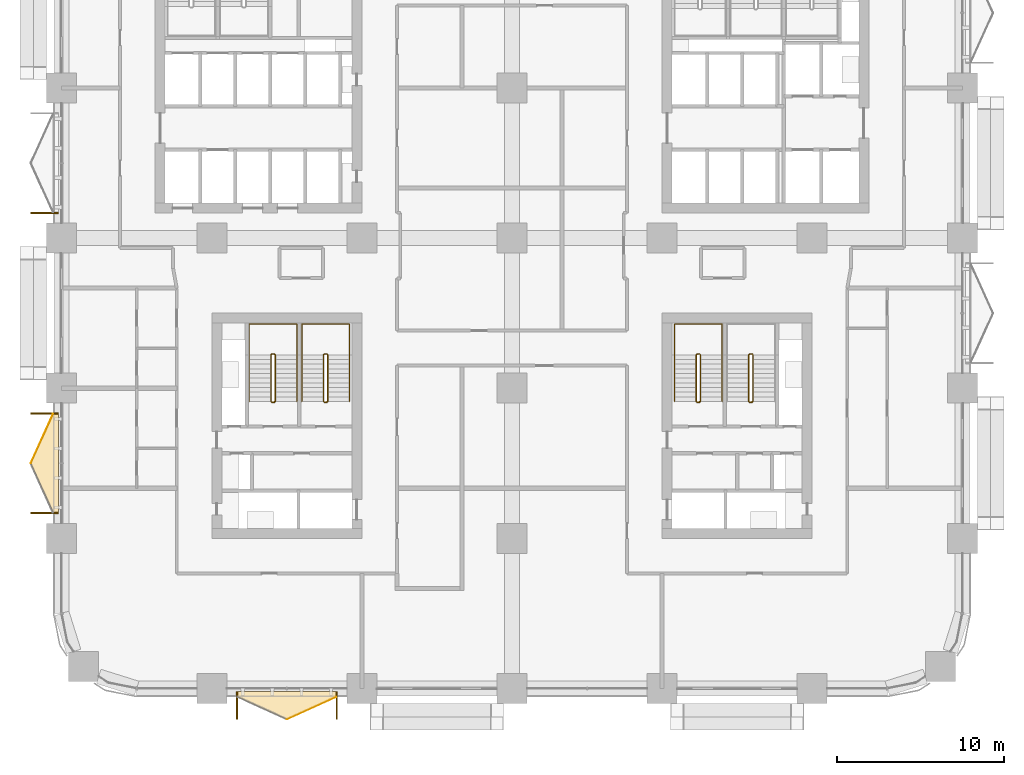
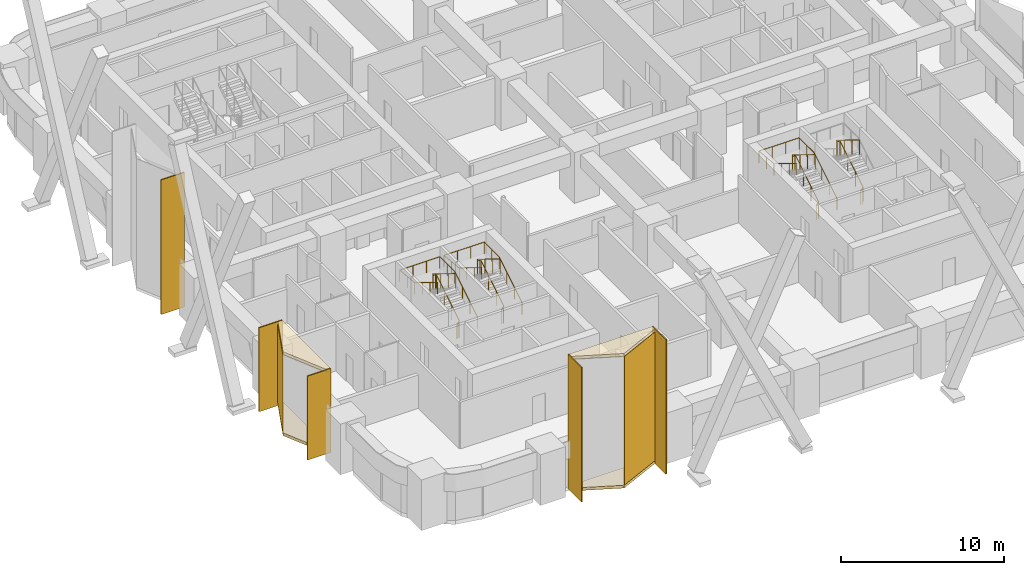
# One storey, part 21 of 23: 11 coverings, 7 railings.
"""IFC4 building model written with IfcOpenShell, lengths in metres."""

from ifc_helpers import new_model, si_unit, direction, frame, origin, origin_2d, place, context, subcontext, project, spatial, polyline, rectangle, circle, outline, extrude, material, layer, layer_set, type_object, element, save


model = new_model("IFC4")

# Units and contexts
model_context = context("Model", 3, precision=1e-05, world=origin(), true_north=direction((0.0, 1.0)))
body_context = subcontext(model_context, "Body", "Model", "MODEL_VIEW")
ifc_project = project(units=[si_unit("LENGTHUNIT", "METRE"), si_unit("AREAUNIT", "SQUARE_METRE"), si_unit("VOLUMEUNIT", "CUBIC_METRE"), si_unit("PLANEANGLEUNIT", "RADIAN"), si_unit("MASSUNIT", "GRAM", prefix="KILO")], contexts=[model_context])

# Site, building, storey
site_placement = place(None, origin())
site = spatial("IfcSite", under=ifc_project, at=site_placement, CompositionType="ELEMENT")
building_placement = place(site_placement, origin())
building = spatial("IfcBuilding", under=site, at=building_placement, Name="Tessera Arch", CompositionType="ELEMENT")
storey_placement = place(building_placement, frame((0.0, 0.0, 46.199951171875)))
storey = spatial("IfcBuildingStorey", under=building, at=storey_placement, Name="L09", CompositionType="ELEMENT", Elevation=46.199951171875)

# Railings
ifc_material_1 = material(Name="Painted steel balustrade", Category="steel")
railing_type_1 = type_object("IfcRailingType", Name="Stair guard 1100", PredefinedType="GUARDRAIL", material=ifc_material_1)
railing_1_placement = place(storey_placement, frame((38.25, 17.14990234375, 0.0)))
element("IfcRailing", 1, at=railing_1_placement, inside=storey, type_object=railing_type_1, Name="L09 S3a stair guard 1", PredefinedType="GUARDRAIL", context=body_context, shape_type="SweptSolid", body=[
    extrude(circle(Radius=0.02392578125, at=origin_2d()), frame((0.00390625, 0.0, 1.076171875), z_axis=(-1.0, 0.0, 0.0), x_axis=(0.0, -1.0, 0.0)), (0.0, 0.0, 1.0), 0.157958984375),
    extrude(circle(Radius=0.02392578125, at=origin_2d()), frame((-0.15283203125, -0.000732421875, 1.073486328125), z_axis=(0.743302536996, 0.186052527575, 0.642561900114), x_axis=(-0.242814311512, 0.970072785993, 0.0)), (0.0, 0.0, 1.0), 0.277099609375),
    extrude(circle(Radius=0.02392578125, at=origin_2d()), frame((0.050048828125, 0.046630859375, 1.246826171875), z_axis=(0.0, 0.851089632645, 0.525020415988), x_axis=(-1.0, 0.0, 0.0)), (0.0, 0.0, 1.0), 3.2978515625),
    extrude(circle(Radius=0.02392578125, at=origin_2d()), frame((0.052978515625, 2.84716796875, 2.97607421875), z_axis=(-0.707106781187, 0.707106781187, 0.0), x_axis=(-0.707106781187, -0.707106781187, 0.0)), (0.0, 0.0, 1.0), 0.078857421875),
    extrude(circle(Radius=0.02392578125, at=origin_2d()), frame((0.00390625, 2.900146484375, 2.97607421875), z_axis=(-1.0, 0.0, 0.0), x_axis=(0.0, -1.0, 0.0)), (0.0, 0.0, 1.0), 0.157958984375),
    extrude(circle(Radius=0.02392578125, at=origin_2d()), frame((-0.14892578125, 2.901123046875, 2.972412109375), z_axis=(-0.268277960024, -0.268277960024, 0.925231793839), x_axis=(0.707106781187, -0.707106781187, 0.0)), (0.0, 0.0, 1.0), 0.194580078125),
    extrude(circle(Radius=0.02392578125, at=origin_2d()), frame((-0.199951171875, 2.853515625, 3.146728515625), z_axis=(0.0, -0.851089632645, 0.525020415988), x_axis=(1.0, 0.0, 0.0)), (0.0, 0.0, 1.0), 3.2978515625),
    extrude(circle(Radius=0.02099609375, at=origin_2d()), origin(), (0.0, 0.0, 1.0), 1.06396484375),
    extrude(circle(Radius=0.02099609375, at=origin_2d()), frame((-0.14990234375, 0.0, 0.0)), (0.0, 0.0, 1.0), 1.06396484375),
    extrude(circle(Radius=0.02099609375, at=origin_2d()), frame((0.050048828125, 0.050048828125, 0.1728515625)), (0.0, 0.0, 1.0), 1.06396484375),
    extrude(circle(Radius=0.02099609375, at=origin_2d()), frame((0.050048828125, 0.9833984375, 0.74853515625)), (0.0, 0.0, 1.0), 1.06396484375),
    extrude(circle(Radius=0.02099609375, at=origin_2d()), frame((0.050048828125, 1.916748046875, 1.324462890625)), (0.0, 0.0, 1.0), 1.06396484375),
    extrude(circle(Radius=0.02099609375, at=origin_2d()), frame((0.050048828125, 2.85009765625, 1.900146484375)), (0.0, 0.0, 1.0), 1.06396484375),
    extrude(circle(Radius=0.02099609375, at=origin_2d()), frame((0.0, 2.900146484375, 1.900146484375)), (0.0, 0.0, 1.0), 1.06396484375),
    extrude(circle(Radius=0.02099609375, at=origin_2d()), frame((-0.14990234375, 2.900146484375, 1.900146484375)), (0.0, 0.0, 1.0), 1.06396484375),
    extrude(circle(Radius=0.02099609375, at=origin_2d()), frame((-0.199951171875, 2.85009765625, 2.07275390625)), (0.0, 0.0, 1.0), 1.06396484375),
    extrude(circle(Radius=0.02099609375, at=origin_2d()), frame((-0.199951171875, 1.916748046875, 2.6484375)), (0.0, 0.0, 1.0), 1.06396484375),
    extrude(circle(Radius=0.02099609375, at=origin_2d()), frame((-0.199951171875, 0.9833984375, 3.224365234375)), (0.0, 0.0, 1.0), 1.06396484375),
    extrude(circle(Radius=0.02099609375, at=origin_2d()), frame((-0.199951171875, 0.050048828125, 3.800048828125)), (0.0, 0.0, 1.0), 1.06396484375),
])
railing_2_placement = place(storey_placement, frame((41.39990234375, 17.14990234375, 0.0)))
element("IfcRailing", 2, at=railing_2_placement, inside=storey, type_object=railing_type_1, Name="L09 S3b stair guard 1", PredefinedType="GUARDRAIL", context=body_context, shape_type="SweptSolid", body=[
    extrude(circle(Radius=0.02392578125, at=origin_2d()), frame((0.00390625, 0.0, 1.076171875), z_axis=(-1.0, 0.0, 0.0), x_axis=(0.0, -1.0, 0.0)), (0.0, 0.0, 1.0), 0.157958984375),
    extrude(circle(Radius=0.02392578125, at=origin_2d()), frame((-0.15283203125, -0.000732421875, 1.073486328125), z_axis=(0.743302536996, 0.186052527575, 0.642561900114), x_axis=(-0.242814311512, 0.970072785993, 0.0)), (0.0, 0.0, 1.0), 0.277099609375),
    extrude(circle(Radius=0.02392578125, at=origin_2d()), frame((0.050048828125, 0.046630859375, 1.246826171875), z_axis=(0.0, 0.851089632645, 0.525020415988), x_axis=(-1.0, 0.0, 0.0)), (0.0, 0.0, 1.0), 3.2978515625),
    extrude(circle(Radius=0.02392578125, at=origin_2d()), frame((0.052978515625, 2.84716796875, 2.97607421875), z_axis=(-0.707106781187, 0.707106781187, 0.0), x_axis=(-0.707106781187, -0.707106781187, 0.0)), (0.0, 0.0, 1.0), 0.078857421875),
    extrude(circle(Radius=0.02392578125, at=origin_2d()), frame((0.00390625, 2.900146484375, 2.97607421875), z_axis=(-1.0, 0.0, 0.0), x_axis=(0.0, -1.0, 0.0)), (0.0, 0.0, 1.0), 0.157958984375),
    extrude(circle(Radius=0.02392578125, at=origin_2d()), frame((-0.14892578125, 2.901123046875, 2.972412109375), z_axis=(-0.268277960024, -0.268277960024, 0.925231793839), x_axis=(0.707106781187, -0.707106781187, 0.0)), (0.0, 0.0, 1.0), 0.194580078125),
    extrude(circle(Radius=0.02392578125, at=origin_2d()), frame((-0.199951171875, 2.853515625, 3.146728515625), z_axis=(0.0, -0.851089632645, 0.525020415988), x_axis=(1.0, 0.0, 0.0)), (0.0, 0.0, 1.0), 3.2978515625),
    extrude(circle(Radius=0.02099609375, at=origin_2d()), origin(), (0.0, 0.0, 1.0), 1.06396484375),
    extrude(circle(Radius=0.02099609375, at=origin_2d()), frame((-0.14990234375, 0.0, 0.0)), (0.0, 0.0, 1.0), 1.06396484375),
    extrude(circle(Radius=0.02099609375, at=origin_2d()), frame((0.050048828125, 0.050048828125, 0.1728515625)), (0.0, 0.0, 1.0), 1.06396484375),
    extrude(circle(Radius=0.02099609375, at=origin_2d()), frame((0.050048828125, 0.9833984375, 0.74853515625)), (0.0, 0.0, 1.0), 1.06396484375),
    extrude(circle(Radius=0.02099609375, at=origin_2d()), frame((0.050048828125, 1.916748046875, 1.324462890625)), (0.0, 0.0, 1.0), 1.06396484375),
    extrude(circle(Radius=0.02099609375, at=origin_2d()), frame((0.050048828125, 2.85009765625, 1.900146484375)), (0.0, 0.0, 1.0), 1.06396484375),
    extrude(circle(Radius=0.02099609375, at=origin_2d()), frame((0.0, 2.900146484375, 1.900146484375)), (0.0, 0.0, 1.0), 1.06396484375),
    extrude(circle(Radius=0.02099609375, at=origin_2d()), frame((-0.14990234375, 2.900146484375, 1.900146484375)), (0.0, 0.0, 1.0), 1.06396484375),
    extrude(circle(Radius=0.02099609375, at=origin_2d()), frame((-0.199951171875, 2.85009765625, 2.07275390625)), (0.0, 0.0, 1.0), 1.06396484375),
    extrude(circle(Radius=0.02099609375, at=origin_2d()), frame((-0.199951171875, 1.916748046875, 2.6484375)), (0.0, 0.0, 1.0), 1.06396484375),
    extrude(circle(Radius=0.02099609375, at=origin_2d()), frame((-0.199951171875, 0.9833984375, 3.224365234375)), (0.0, 0.0, 1.0), 1.06396484375),
    extrude(circle(Radius=0.02099609375, at=origin_2d()), frame((-0.199951171875, 0.050048828125, 3.800048828125)), (0.0, 0.0, 1.0), 1.06396484375),
])
railing_3_placement = place(storey_placement, frame((15.89990234375, 17.14990234375, 0.0)))
element("IfcRailing", 3, at=railing_3_placement, inside=storey, type_object=railing_type_1, Name="L09 S4a stair guard 1", PredefinedType="GUARDRAIL", context=body_context, shape_type="SweptSolid", body=[
    extrude(circle(Radius=0.02392578125, at=origin_2d()), frame((0.00390625, 0.0, 1.076171875), z_axis=(-1.0, 0.0, 0.0), x_axis=(0.0, -1.0, 0.0)), (0.0, 0.0, 1.0), 0.157958984375),
    extrude(circle(Radius=0.02392578125, at=origin_2d()), frame((-0.15283203125, -0.000732421875, 1.073486328125), z_axis=(0.743302536996, 0.186052527575, 0.642561900114), x_axis=(-0.242814311512, 0.970072785993, 0.0)), (0.0, 0.0, 1.0), 0.277099609375),
    extrude(circle(Radius=0.02392578125, at=origin_2d()), frame((0.050048828125, 0.046630859375, 1.246826171875), z_axis=(0.0, 0.851089632645, 0.525020415988), x_axis=(-1.0, 0.0, 0.0)), (0.0, 0.0, 1.0), 3.2978515625),
    extrude(circle(Radius=0.02392578125, at=origin_2d()), frame((0.052978515625, 2.84716796875, 2.97607421875), z_axis=(-0.707106781187, 0.707106781187, 0.0), x_axis=(-0.707106781187, -0.707106781187, 0.0)), (0.0, 0.0, 1.0), 0.078857421875),
    extrude(circle(Radius=0.02392578125, at=origin_2d()), frame((0.00390625, 2.900146484375, 2.97607421875), z_axis=(-1.0, 0.0, 0.0), x_axis=(0.0, -1.0, 0.0)), (0.0, 0.0, 1.0), 0.157958984375),
    extrude(circle(Radius=0.02392578125, at=origin_2d()), frame((-0.14892578125, 2.901123046875, 2.972412109375), z_axis=(-0.268277960024, -0.268277960024, 0.925231793839), x_axis=(0.707106781187, -0.707106781187, 0.0)), (0.0, 0.0, 1.0), 0.194580078125),
    extrude(circle(Radius=0.02392578125, at=origin_2d()), frame((-0.199951171875, 2.853515625, 3.146728515625), z_axis=(0.0, -0.851089632645, 0.525020415988), x_axis=(1.0, 0.0, 0.0)), (0.0, 0.0, 1.0), 3.2978515625),
    extrude(circle(Radius=0.02099609375, at=origin_2d()), origin(), (0.0, 0.0, 1.0), 1.06396484375),
    extrude(circle(Radius=0.02099609375, at=origin_2d()), frame((-0.14990234375, 0.0, 0.0)), (0.0, 0.0, 1.0), 1.06396484375),
    extrude(circle(Radius=0.02099609375, at=origin_2d()), frame((0.050048828125, 0.050048828125, 0.1728515625)), (0.0, 0.0, 1.0), 1.06396484375),
    extrude(circle(Radius=0.02099609375, at=origin_2d()), frame((0.050048828125, 0.9833984375, 0.74853515625)), (0.0, 0.0, 1.0), 1.06396484375),
    extrude(circle(Radius=0.02099609375, at=origin_2d()), frame((0.050048828125, 1.916748046875, 1.324462890625)), (0.0, 0.0, 1.0), 1.06396484375),
    extrude(circle(Radius=0.02099609375, at=origin_2d()), frame((0.050048828125, 2.85009765625, 1.900146484375)), (0.0, 0.0, 1.0), 1.06396484375),
    extrude(circle(Radius=0.02099609375, at=origin_2d()), frame((0.0, 2.900146484375, 1.900146484375)), (0.0, 0.0, 1.0), 1.06396484375),
    extrude(circle(Radius=0.02099609375, at=origin_2d()), frame((-0.14990234375, 2.900146484375, 1.900146484375)), (0.0, 0.0, 1.0), 1.06396484375),
    extrude(circle(Radius=0.02099609375, at=origin_2d()), frame((-0.199951171875, 2.85009765625, 2.07275390625)), (0.0, 0.0, 1.0), 1.06396484375),
    extrude(circle(Radius=0.02099609375, at=origin_2d()), frame((-0.199951171875, 1.916748046875, 2.6484375)), (0.0, 0.0, 1.0), 1.06396484375),
    extrude(circle(Radius=0.02099609375, at=origin_2d()), frame((-0.199951171875, 0.9833984375, 3.224365234375)), (0.0, 0.0, 1.0), 1.06396484375),
    extrude(circle(Radius=0.02099609375, at=origin_2d()), frame((-0.199951171875, 0.050048828125, 3.800048828125)), (0.0, 0.0, 1.0), 1.06396484375),
])
railing_4_placement = place(storey_placement, frame((12.75, 17.14990234375, 0.0)))
element("IfcRailing", 4, at=railing_4_placement, inside=storey, type_object=railing_type_1, Name="L09 S4b stair guard 1", PredefinedType="GUARDRAIL", context=body_context, shape_type="SweptSolid", body=[
    extrude(circle(Radius=0.02392578125, at=origin_2d()), frame((0.00390625, 0.0, 1.076171875), z_axis=(-1.0, 0.0, 0.0), x_axis=(0.0, -1.0, 0.0)), (0.0, 0.0, 1.0), 0.157958984375),
    extrude(circle(Radius=0.02392578125, at=origin_2d()), frame((-0.15283203125, -0.000732421875, 1.073486328125), z_axis=(0.743302536996, 0.186052527575, 0.642561900114), x_axis=(-0.242814311512, 0.970072785993, 0.0)), (0.0, 0.0, 1.0), 0.277099609375),
    extrude(circle(Radius=0.02392578125, at=origin_2d()), frame((0.050048828125, 0.046630859375, 1.246826171875), z_axis=(0.0, 0.851089632645, 0.525020415988), x_axis=(-1.0, 0.0, 0.0)), (0.0, 0.0, 1.0), 3.2978515625),
    extrude(circle(Radius=0.02392578125, at=origin_2d()), frame((0.052978515625, 2.84716796875, 2.97607421875), z_axis=(-0.707106781187, 0.707106781187, 0.0), x_axis=(-0.707106781187, -0.707106781187, 0.0)), (0.0, 0.0, 1.0), 0.078857421875),
    extrude(circle(Radius=0.02392578125, at=origin_2d()), frame((0.00390625, 2.900146484375, 2.97607421875), z_axis=(-1.0, 0.0, 0.0), x_axis=(0.0, -1.0, 0.0)), (0.0, 0.0, 1.0), 0.157958984375),
    extrude(circle(Radius=0.02392578125, at=origin_2d()), frame((-0.14892578125, 2.901123046875, 2.972412109375), z_axis=(-0.268277960024, -0.268277960024, 0.925231793839), x_axis=(0.707106781187, -0.707106781187, 0.0)), (0.0, 0.0, 1.0), 0.194580078125),
    extrude(circle(Radius=0.02392578125, at=origin_2d()), frame((-0.199951171875, 2.853515625, 3.146728515625), z_axis=(0.0, -0.851089632645, 0.525020415988), x_axis=(1.0, 0.0, 0.0)), (0.0, 0.0, 1.0), 3.2978515625),
    extrude(circle(Radius=0.02099609375, at=origin_2d()), origin(), (0.0, 0.0, 1.0), 1.06396484375),
    extrude(circle(Radius=0.02099609375, at=origin_2d()), frame((-0.14990234375, 0.0, 0.0)), (0.0, 0.0, 1.0), 1.06396484375),
    extrude(circle(Radius=0.02099609375, at=origin_2d()), frame((0.050048828125, 0.050048828125, 0.1728515625)), (0.0, 0.0, 1.0), 1.06396484375),
    extrude(circle(Radius=0.02099609375, at=origin_2d()), frame((0.050048828125, 0.9833984375, 0.74853515625)), (0.0, 0.0, 1.0), 1.06396484375),
    extrude(circle(Radius=0.02099609375, at=origin_2d()), frame((0.050048828125, 1.916748046875, 1.324462890625)), (0.0, 0.0, 1.0), 1.06396484375),
    extrude(circle(Radius=0.02099609375, at=origin_2d()), frame((0.050048828125, 2.85009765625, 1.900146484375)), (0.0, 0.0, 1.0), 1.06396484375),
    extrude(circle(Radius=0.02099609375, at=origin_2d()), frame((0.0, 2.900146484375, 1.900146484375)), (0.0, 0.0, 1.0), 1.06396484375),
    extrude(circle(Radius=0.02099609375, at=origin_2d()), frame((-0.14990234375, 2.900146484375, 1.900146484375)), (0.0, 0.0, 1.0), 1.06396484375),
    extrude(circle(Radius=0.02099609375, at=origin_2d()), frame((-0.199951171875, 2.85009765625, 2.07275390625)), (0.0, 0.0, 1.0), 1.06396484375),
    extrude(circle(Radius=0.02099609375, at=origin_2d()), frame((-0.199951171875, 1.916748046875, 2.6484375)), (0.0, 0.0, 1.0), 1.06396484375),
    extrude(circle(Radius=0.02099609375, at=origin_2d()), frame((-0.199951171875, 0.9833984375, 3.224365234375)), (0.0, 0.0, 1.0), 1.06396484375),
    extrude(circle(Radius=0.02099609375, at=origin_2d()), frame((-0.199951171875, 0.050048828125, 3.800048828125)), (0.0, 0.0, 1.0), 1.06396484375),
])
ifc_material_2 = material(Name="Painted steel handrail", Category="steel")
railing_type_2 = type_object("IfcRailingType", Name="Stair handrail 900", PredefinedType="HANDRAIL", material=ifc_material_2)
railing_5_placement = place(storey_placement, frame((39.60009765625, 17.199951171875, 0.1728515625)))
element("IfcRailing", 5, at=railing_5_placement, inside=storey, type_object=railing_type_2, Name="L09 S3a stair handrail", PredefinedType="HANDRAIL", context=body_context, shape_type="SweptSolid", body=[
    extrude(circle(Radius=0.02392578125, at=origin_2d()), frame((0.0, -0.00341796875, 0.873779296875), z_axis=(0.0, 0.851089632645, 0.525020415988), x_axis=(-1.0, 0.0, 0.0)), (0.0, 0.0, 1.0), 3.2978515625),
    extrude(circle(Radius=0.02392578125, at=origin_2d()), frame((0.0, 2.796142578125, 2.60302734375), z_axis=(0.0, 1.0, 0.0), x_axis=(-1.0, 0.0, 0.0)), (0.0, 0.0, 1.0), 1.858154296875),
    extrude(circle(Radius=0.02392578125, at=origin_2d()), frame((0.00390625, 4.650146484375, 2.60302734375), z_axis=(-1.0, 0.0, 0.0), x_axis=(0.0, -1.0, 0.0)), (0.0, 0.0, 1.0), 2.858154296875),
    extrude(circle(Radius=0.02392578125, at=origin_2d()), frame((-2.85009765625, 4.654052734375, 2.602783203125), z_axis=(0.0, -0.995676099079, 0.092892979948), x_axis=(1.0, 0.0, 0.0)), (0.0, 0.0, 1.0), 1.8662109375),
    extrude(circle(Radius=0.02392578125, at=origin_2d()), frame((-2.85009765625, 2.803466796875, 2.773681640625), z_axis=(0.0, -0.851089632645, 0.525020415988), x_axis=(1.0, 0.0, 0.0)), (0.0, 0.0, 1.0), 3.2978515625),
    extrude(circle(Radius=0.02099609375, at=origin_2d()), origin(), (0.0, 0.0, 1.0), 0.86376953125),
    extrude(circle(Radius=0.02099609375, at=origin_2d()), frame((0.0, 0.933349609375, 0.57568359375)), (0.0, 0.0, 1.0), 0.86376953125),
    extrude(circle(Radius=0.02099609375, at=origin_2d()), frame((0.0, 1.86669921875, 1.151611328125)), (0.0, 0.0, 1.0), 0.86376953125),
    extrude(circle(Radius=0.02099609375, at=origin_2d()), frame((0.0, 2.800048828125, 1.727294921875)), (0.0, 0.0, 1.0), 0.86376953125),
    extrude(circle(Radius=0.02099609375, at=origin_2d()), frame((0.0, 3.72509765625, 1.727294921875)), (0.0, 0.0, 1.0), 0.86376953125),
    extrude(circle(Radius=0.02099609375, at=origin_2d()), frame((0.0, 4.650146484375, 1.727294921875)), (0.0, 0.0, 1.0), 0.86376953125),
    extrude(circle(Radius=0.02099609375, at=origin_2d()), frame((-0.949951171875, 4.650146484375, 1.727294921875)), (0.0, 0.0, 1.0), 0.86376953125),
    extrude(circle(Radius=0.02099609375, at=origin_2d()), frame((-1.900146484375, 4.650146484375, 1.727294921875)), (0.0, 0.0, 1.0), 0.86376953125),
    extrude(circle(Radius=0.02099609375, at=origin_2d()), frame((-2.85009765625, 4.650146484375, 1.727294921875)), (0.0, 0.0, 1.0), 0.86376953125),
    extrude(circle(Radius=0.02099609375, at=origin_2d()), frame((-2.85009765625, 3.72509765625, 1.8134765625)), (0.0, 0.0, 1.0), 0.86376953125),
    extrude(circle(Radius=0.02099609375, at=origin_2d()), frame((-2.85009765625, 2.800048828125, 1.89990234375)), (0.0, 0.0, 1.0), 0.86376953125),
    extrude(circle(Radius=0.02099609375, at=origin_2d()), frame((-2.85009765625, 1.86669921875, 2.4755859375)), (0.0, 0.0, 1.0), 0.86376953125),
    extrude(circle(Radius=0.02099609375, at=origin_2d()), frame((-2.85009765625, 0.933349609375, 3.051513671875)), (0.0, 0.0, 1.0), 0.86376953125),
    extrude(circle(Radius=0.02099609375, at=origin_2d()), frame((-2.85009765625, 0.0, 3.627197265625)), (0.0, 0.0, 1.0), 0.86376953125),
])
railing_6_placement = place(storey_placement, frame((17.25, 17.199951171875, 0.1728515625)))
element("IfcRailing", 6, at=railing_6_placement, inside=storey, type_object=railing_type_2, Name="L09 S4a stair handrail", PredefinedType="HANDRAIL", context=body_context, shape_type="SweptSolid", body=[
    extrude(circle(Radius=0.02392578125, at=origin_2d()), frame((0.0, -0.00341796875, 0.873779296875), z_axis=(0.0, 0.851089632645, 0.525020415988), x_axis=(-1.0, 0.0, 0.0)), (0.0, 0.0, 1.0), 3.2978515625),
    extrude(circle(Radius=0.02392578125, at=origin_2d()), frame((0.0, 2.796142578125, 2.60302734375), z_axis=(0.0, 1.0, 0.0), x_axis=(-1.0, 0.0, 0.0)), (0.0, 0.0, 1.0), 1.858154296875),
    extrude(circle(Radius=0.02392578125, at=origin_2d()), frame((0.00390625, 4.650146484375, 2.60302734375), z_axis=(-1.0, 0.0, 0.0), x_axis=(0.0, -1.0, 0.0)), (0.0, 0.0, 1.0), 2.858154296875),
    extrude(circle(Radius=0.02392578125, at=origin_2d()), frame((-2.85009765625, 4.654052734375, 2.602783203125), z_axis=(0.0, -0.995676099079, 0.092892979948), x_axis=(1.0, 0.0, 0.0)), (0.0, 0.0, 1.0), 1.8662109375),
    extrude(circle(Radius=0.02392578125, at=origin_2d()), frame((-2.85009765625, 2.803466796875, 2.773681640625), z_axis=(0.0, -0.851089632645, 0.525020415988), x_axis=(1.0, 0.0, 0.0)), (0.0, 0.0, 1.0), 3.2978515625),
    extrude(circle(Radius=0.02099609375, at=origin_2d()), origin(), (0.0, 0.0, 1.0), 0.86376953125),
    extrude(circle(Radius=0.02099609375, at=origin_2d()), frame((0.0, 0.933349609375, 0.57568359375)), (0.0, 0.0, 1.0), 0.86376953125),
    extrude(circle(Radius=0.02099609375, at=origin_2d()), frame((0.0, 1.86669921875, 1.151611328125)), (0.0, 0.0, 1.0), 0.86376953125),
    extrude(circle(Radius=0.02099609375, at=origin_2d()), frame((0.0, 2.800048828125, 1.727294921875)), (0.0, 0.0, 1.0), 0.86376953125),
    extrude(circle(Radius=0.02099609375, at=origin_2d()), frame((0.0, 3.72509765625, 1.727294921875)), (0.0, 0.0, 1.0), 0.86376953125),
    extrude(circle(Radius=0.02099609375, at=origin_2d()), frame((0.0, 4.650146484375, 1.727294921875)), (0.0, 0.0, 1.0), 0.86376953125),
    extrude(circle(Radius=0.02099609375, at=origin_2d()), frame((-0.949951171875, 4.650146484375, 1.727294921875)), (0.0, 0.0, 1.0), 0.86376953125),
    extrude(circle(Radius=0.02099609375, at=origin_2d()), frame((-1.900146484375, 4.650146484375, 1.727294921875)), (0.0, 0.0, 1.0), 0.86376953125),
    extrude(circle(Radius=0.02099609375, at=origin_2d()), frame((-2.85009765625, 4.650146484375, 1.727294921875)), (0.0, 0.0, 1.0), 0.86376953125),
    extrude(circle(Radius=0.02099609375, at=origin_2d()), frame((-2.85009765625, 3.72509765625, 1.8134765625)), (0.0, 0.0, 1.0), 0.86376953125),
    extrude(circle(Radius=0.02099609375, at=origin_2d()), frame((-2.85009765625, 2.800048828125, 1.89990234375)), (0.0, 0.0, 1.0), 0.86376953125),
    extrude(circle(Radius=0.02099609375, at=origin_2d()), frame((-2.85009765625, 1.86669921875, 2.4755859375)), (0.0, 0.0, 1.0), 0.86376953125),
    extrude(circle(Radius=0.02099609375, at=origin_2d()), frame((-2.85009765625, 0.933349609375, 3.051513671875)), (0.0, 0.0, 1.0), 0.86376953125),
    extrude(circle(Radius=0.02099609375, at=origin_2d()), frame((-2.85009765625, 0.0, 3.627197265625)), (0.0, 0.0, 1.0), 0.86376953125),
])
railing_7_placement = place(storey_placement, frame((14.10009765625, 17.199951171875, 0.1728515625)))
element("IfcRailing", 7, at=railing_7_placement, inside=storey, type_object=railing_type_2, Name="L09 S4b stair handrail", PredefinedType="HANDRAIL", context=body_context, shape_type="SweptSolid", body=[
    extrude(circle(Radius=0.02392578125, at=origin_2d()), frame((0.0, -0.00341796875, 0.873779296875), z_axis=(0.0, 0.851089632645, 0.525020415988), x_axis=(-1.0, 0.0, 0.0)), (0.0, 0.0, 1.0), 3.2978515625),
    extrude(circle(Radius=0.02392578125, at=origin_2d()), frame((0.0, 2.796142578125, 2.60302734375), z_axis=(0.0, 1.0, 0.0), x_axis=(-1.0, 0.0, 0.0)), (0.0, 0.0, 1.0), 1.858154296875),
    extrude(circle(Radius=0.02392578125, at=origin_2d()), frame((0.00390625, 4.650146484375, 2.60302734375), z_axis=(-1.0, 0.0, 0.0), x_axis=(0.0, -1.0, 0.0)), (0.0, 0.0, 1.0), 2.858154296875),
    extrude(circle(Radius=0.02392578125, at=origin_2d()), frame((-2.85009765625, 4.654052734375, 2.602783203125), z_axis=(0.0, -0.995676099079, 0.092892979948), x_axis=(1.0, 0.0, 0.0)), (0.0, 0.0, 1.0), 1.8662109375),
    extrude(circle(Radius=0.02392578125, at=origin_2d()), frame((-2.85009765625, 2.803466796875, 2.773681640625), z_axis=(0.0, -0.851089632645, 0.525020415988), x_axis=(1.0, 0.0, 0.0)), (0.0, 0.0, 1.0), 3.2978515625),
    extrude(circle(Radius=0.02099609375, at=origin_2d()), origin(), (0.0, 0.0, 1.0), 0.86376953125),
    extrude(circle(Radius=0.02099609375, at=origin_2d()), frame((0.0, 0.933349609375, 0.57568359375)), (0.0, 0.0, 1.0), 0.86376953125),
    extrude(circle(Radius=0.02099609375, at=origin_2d()), frame((0.0, 1.86669921875, 1.151611328125)), (0.0, 0.0, 1.0), 0.86376953125),
    extrude(circle(Radius=0.02099609375, at=origin_2d()), frame((0.0, 2.800048828125, 1.727294921875)), (0.0, 0.0, 1.0), 0.86376953125),
    extrude(circle(Radius=0.02099609375, at=origin_2d()), frame((0.0, 3.72509765625, 1.727294921875)), (0.0, 0.0, 1.0), 0.86376953125),
    extrude(circle(Radius=0.02099609375, at=origin_2d()), frame((0.0, 4.650146484375, 1.727294921875)), (0.0, 0.0, 1.0), 0.86376953125),
    extrude(circle(Radius=0.02099609375, at=origin_2d()), frame((-0.949951171875, 4.650146484375, 1.727294921875)), (0.0, 0.0, 1.0), 0.86376953125),
    extrude(circle(Radius=0.02099609375, at=origin_2d()), frame((-1.900146484375, 4.650146484375, 1.727294921875)), (0.0, 0.0, 1.0), 0.86376953125),
    extrude(circle(Radius=0.02099609375, at=origin_2d()), frame((-2.85009765625, 4.650146484375, 1.727294921875)), (0.0, 0.0, 1.0), 0.86376953125),
    extrude(circle(Radius=0.02099609375, at=origin_2d()), frame((-2.85009765625, 3.72509765625, 1.8134765625)), (0.0, 0.0, 1.0), 0.86376953125),
    extrude(circle(Radius=0.02099609375, at=origin_2d()), frame((-2.85009765625, 2.800048828125, 1.89990234375)), (0.0, 0.0, 1.0), 0.86376953125),
    extrude(circle(Radius=0.02099609375, at=origin_2d()), frame((-2.85009765625, 1.86669921875, 2.4755859375)), (0.0, 0.0, 1.0), 0.86376953125),
    extrude(circle(Radius=0.02099609375, at=origin_2d()), frame((-2.85009765625, 0.933349609375, 3.051513671875)), (0.0, 0.0, 1.0), 0.86376953125),
    extrude(circle(Radius=0.02099609375, at=origin_2d()), frame((-2.85009765625, 0.0, 3.627197265625)), (0.0, 0.0, 1.0), 0.86376953125),
])

# Coverings
ifc_material_3 = material(Name="Anodised aluminium pale metal", Category="aluminium")
ifc_layer_1 = layer(ifc_material_3, 0.080078125)
ifc_layer_set_1 = layer_set([ifc_layer_1], Name="Window box cheek")
covering_type_1 = type_object("IfcCoveringType", Name="Window box cheek", PredefinedType="CLADDING", material=ifc_layer_set_1)
covering_1_placement = place(storey_placement, origin())
element("IfcCovering", 8, at=covering_1_placement, inside=storey, type_object=covering_type_1, Name="Window box S0.0/0.0 2x3 cheek", PredefinedType="CLADDING", context=body_context, shape_type="SweptSolid", body=[
    extrude(outline(polyline([(10.469970703125, -1.85009765625), (10.550048828125, -1.85009765625), (10.550048828125, -0.199951171875), (10.469970703125, -0.199951171875), (10.469970703125, -1.85009765625)])), origin(), (0.0, 0.0, 1.0), 10.10009765625),
])
covering_2_placement = place(storey_placement, origin())
element("IfcCovering", 9, at=covering_2_placement, inside=storey, type_object=covering_type_1, Name="Window box S0.0/0.0 2x3 cheek", PredefinedType="CLADDING", context=body_context, shape_type="SweptSolid", body=[
    extrude(outline(polyline([(16.449951171875, -1.85009765625), (16.530029296875, -1.85009765625), (16.530029296875, -0.199951171875), (16.449951171875, -0.199951171875), (16.449951171875, -1.85009765625)])), origin(), (0.0, 0.0, 1.0), 10.10009765625),
])
covering_3_placement = place(storey_placement, origin())
element("IfcCovering", 10, at=covering_3_placement, inside=storey, type_object=covering_type_1, Name="Window box W0.0/4.0 2x2 cheek", PredefinedType="CLADDING", context=body_context, shape_type="SweptSolid", body=[
    extrude(outline(polyline([(-1.85009765625, 16.530029296875), (-1.85009765625, 16.449951171875), (-0.199951171875, 16.449951171875), (-0.199951171875, 16.530029296875), (-1.85009765625, 16.530029296875)])), origin(), (0.0, 0.0, 1.0), 6.300048828125),
])
covering_4_placement = place(storey_placement, origin())
element("IfcCovering", 11, at=covering_4_placement, inside=storey, type_object=covering_type_1, Name="Window box W0.0/4.0 2x2 cheek", PredefinedType="CLADDING", context=body_context, shape_type="SweptSolid", body=[
    extrude(outline(polyline([(-1.85009765625, 10.550048828125), (-1.85009765625, 10.469970703125), (-0.199951171875, 10.469970703125), (-0.199951171875, 10.550048828125), (-1.85009765625, 10.550048828125)])), origin(), (0.0, 0.0, 1.0), 6.300048828125),
])
covering_5_placement = place(storey_placement, origin())
element("IfcCovering", 12, at=covering_5_placement, inside=storey, type_object=covering_type_1, Name="Window box W0.0/2.0 2x3 cheek", PredefinedType="CLADDING", context=body_context, shape_type="SweptSolid", body=[
    extrude(outline(polyline([(-1.85009765625, 28.550048828125), (-1.85009765625, 28.469970703125), (-0.199951171875, 28.469970703125), (-0.199951171875, 28.550048828125), (-1.85009765625, 28.550048828125)])), origin(), (0.0, 0.0, 1.0), 10.10009765625),
])
ifc_material_4 = material(Name="Anodised aluminium pale metal", Category="aluminium")
ifc_layer_2 = layer(ifc_material_4, 0.219970703125)
ifc_layer_set_2 = layer_set([ifc_layer_2], Name="Window box frame plate pale metal")
covering_type_2 = type_object("IfcCoveringType", Name="Window box frame plate pale metal", PredefinedType="CLADDING", material=ifc_layer_set_2)
for number, where, name in (
    (13, (0.0, 0.0, 0.0), "Window box W0.0/4.0 2x2 floor"),
    (14, (0.0, 0.0, 6.080078125), "Window box W0.0/4.0 2x2 roof"),
):
    element("IfcCovering", number, at=place(storey_placement, frame(where)), inside=storey, type_object=covering_type_2, Name=name, PredefinedType="CLADDING", context=body_context, shape_type="SweptSolid", body=[
        extrude(outline(polyline([(-0.510009765625, 16.449951171875), (-1.85009765625, 13.5), (-0.510009765625, 10.550048828125), (-0.199951171875, 10.550048828125), (-0.199951171875, 16.449951171875), (-0.510009765625, 16.449951171875)])), origin(), (0.0, 0.0, 1.0), 0.219970703125),
    ])
ifc_material_5 = material(Name="Anodised aluminium turquoise", Category="aluminium")
ifc_layer_3 = layer(ifc_material_5, 0.219970703125)
ifc_layer_set_3 = layer_set([ifc_layer_3], Name="Window box frame plate turquoise")
covering_type_3 = type_object("IfcCoveringType", Name="Window box frame plate turquoise", PredefinedType="CLADDING", material=ifc_layer_set_3)
for number, where, name in (
    (15, (0.0, 0.0, 0.0), "Window box S0.0/0.0 2x3 floor"),
    (16, (0.0, 0.0, 9.880126953125), "Window box S0.0/0.0 2x3 roof"),
):
    element("IfcCovering", number, at=place(storey_placement, frame(where)), inside=storey, type_object=covering_type_3, Name=name, PredefinedType="CLADDING", context=body_context, shape_type="SweptSolid", body=[
        extrude(outline(polyline([(10.550048828125, -0.510009765625), (13.5, -1.85009765625), (16.449951171875, -0.510009765625), (16.449951171875, -0.199951171875), (10.550048828125, -0.199951171875), (10.550048828125, -0.510009765625)])), origin(), (0.0, 0.0, 1.0), 0.219970703125),
    ])
ifc_material_6 = material(Name="Anodised aluminium pale metal", Category="aluminium")
ifc_layer_4 = layer(ifc_material_6, 0.028076171875)
ifc_layer_set_4 = layer_set([ifc_layer_4], Name="Window box side panel")
covering_type_4 = type_object("IfcCoveringType", Name="Window box side panel", PredefinedType="CLADDING", material=ifc_layer_set_4)
covering_6_placement = place(storey_placement, frame((14.97509765625, -1.179931640625, 0.22021484375), z_axis=(0.0, 0.0, 1.0), x_axis=(-0.910472144558, -0.413570397858, 0.0)))
element("IfcCovering", 17, at=covering_6_placement, inside=storey, type_object=covering_type_4, Name="Window box S0.0/0.0 2x3 side panel", PredefinedType="CLADDING", context=body_context, shape_type="SweptSolid", body=[
    extrude(rectangle(XDim=3.239990234375, YDim=0.028076171875, at=origin_2d()), origin(), (0.0, 0.0, 1.0), 9.659912109375),
])
covering_7_placement = place(storey_placement, frame((-1.179931640625, 14.97509765625, 0.22021484375), z_axis=(0.0, 0.0, 1.0), x_axis=(-0.413570397858, -0.910472144558, 0.0)))
element("IfcCovering", 18, at=covering_7_placement, inside=storey, type_object=covering_type_4, Name="Window box W0.0/4.0 2x2 side panel", PredefinedType="CLADDING", context=body_context, shape_type="SweptSolid", body=[
    extrude(rectangle(XDim=3.239990234375, YDim=0.028076171875, at=origin_2d()), origin(), (0.0, 0.0, 1.0), 5.860107421875),
])

save(model, "model.ifc")
